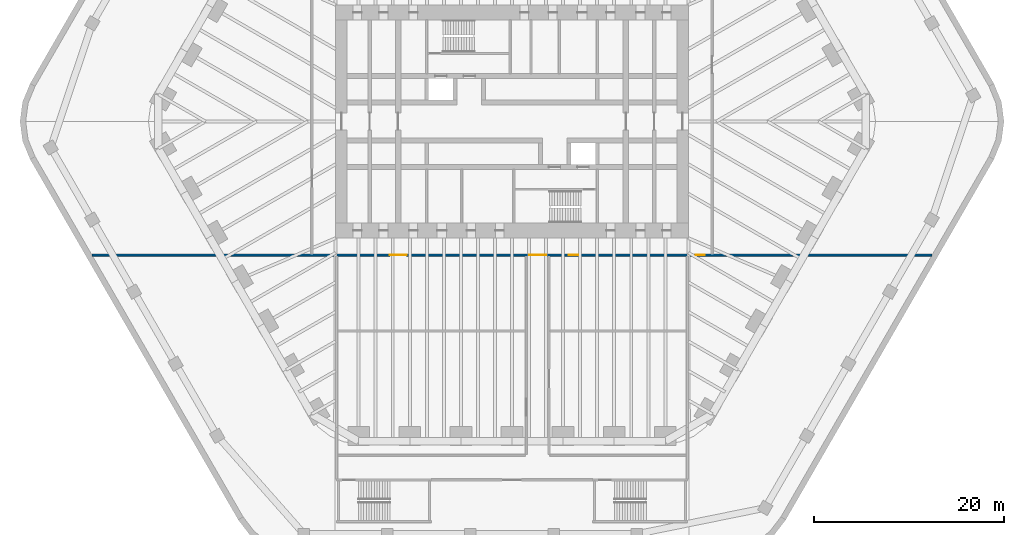
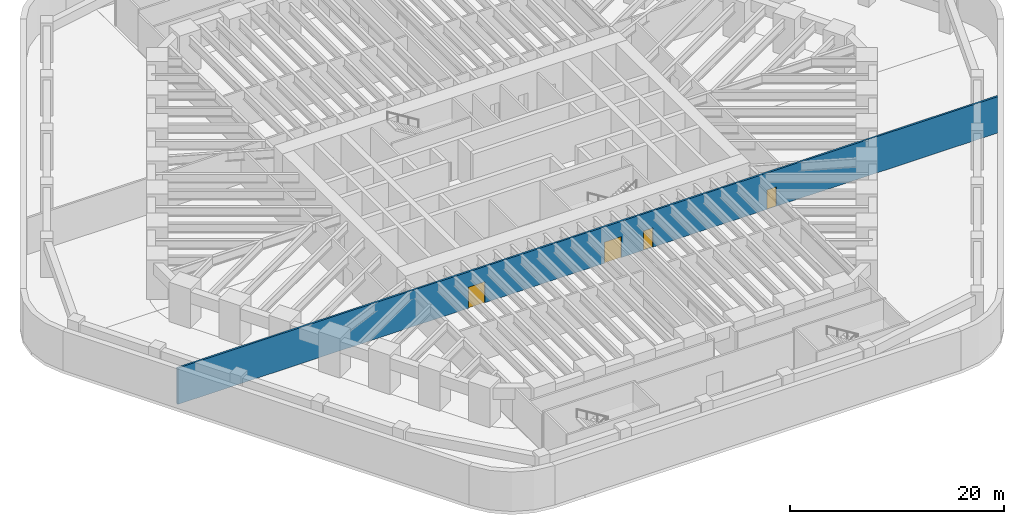
# One storey, part 5 of 12: 4 doors, 1 wall, 4 openings.
"""IFC4 building model written with IfcOpenShell, lengths in metres."""

from ifc_helpers import new_model, si_unit, direction, frame, frame_2d, origin, place, context, subcontext, project, spatial, rectangle, extrude, material, layer, layer_set, type_object, element, fill, save


model = new_model("IFC4")

# Units and contexts
model_context = context("Model", 3, precision=1e-05, world=origin(), true_north=direction((0.0, 1.0)))
body_context = subcontext(model_context, "Body", "Model", "MODEL_VIEW")
ifc_project = project(units=[si_unit("LENGTHUNIT", "METRE"), si_unit("AREAUNIT", "SQUARE_METRE"), si_unit("VOLUMEUNIT", "CUBIC_METRE"), si_unit("PLANEANGLEUNIT", "RADIAN"), si_unit("MASSUNIT", "GRAM", prefix="KILO")], contexts=[model_context])

# Site, building, storey
site_placement = place(None, origin())
site = spatial("IfcSite", under=ifc_project, at=site_placement, CompositionType="ELEMENT")
building_placement = place(site_placement, origin())
building = spatial("IfcBuilding", under=site, at=building_placement, Name="Tarfa Lantern Tower", CompositionType="ELEMENT")
storey_placement = place(building_placement, frame((0.0, 0.0, -4.5)))
storey = spatial("IfcBuildingStorey", under=building, at=storey_placement, Name="B1", CompositionType="ELEMENT", Elevation=-4.5)

# Wall, openings, doors
ifc_material_1 = material(Name="Concrete blockwork", Category="masonry")
ifc_layer = layer(ifc_material_1, 0.199951171875)
ifc_layer_set = layer_set([ifc_layer], Name="IW1 BLOCKWORK PARTITION 200 EI 120")
wall_type = type_object("IfcWallType", Name="IW1 BLOCKWORK PARTITION 200 EI 120", PredefinedType="PARTITIONING", material=ifc_layer_set)
wall_placement = place(storey_placement, frame((-44.28271484375, -14.10009765625, 0.0), z_axis=(0.0, 0.0, 1.0), x_axis=(1.0, 0.0, 0.0)))
wall = element("IfcWall", 1, at=wall_placement, inside=storey, type_object=wall_type, Name="Fire-rated partition", PredefinedType="PARTITIONING", context=body_context, shape_type="SweptSolid", body=[
    extrude(rectangle(XDim=88.5654296875, YDim=0.199951171875, at=frame_2d((44.28271484375, 0.0))), origin(), (0.0, 0.0, 1.0), 4.14990234375),
])
opening_1_placement = place(wall_placement, frame((31.3828125, 0.0, 0.0)))
opening_1 = element("IfcOpeningElement", 2, at=opening_1_placement, cuts=wall, Name="Opening D46", PredefinedType="OPENING", context=body_context, shape_type="SweptSolid", body=[
    extrude(rectangle(XDim=1.800048828125, YDim=2.39990234375, at=frame_2d((0.89990234375, 1.199951171875))), frame((0.0, 0.10986328125, 0.0), z_axis=(0.0, -1.0, 0.0), x_axis=(1.0, 0.0, 0.0)), (0.0, 0.0, 1.0), 0.219970703125),
])
opening_2_placement = place(wall_placement, frame((50.28271484375, 0.0, 0.0)))
opening_2 = element("IfcOpeningElement", 3, at=opening_2_placement, cuts=wall, Name="Opening D44", PredefinedType="OPENING", context=body_context, shape_type="SweptSolid", body=[
    extrude(rectangle(XDim=1.0, YDim=2.199951171875, at=frame_2d((0.5, 1.10009765625))), frame((0.0, 0.10986328125, 0.0), z_axis=(0.0, -1.0, 0.0), x_axis=(1.0, 0.0, 0.0)), (0.0, 0.0, 1.0), 0.219970703125),
])
opening_3_placement = place(wall_placement, frame((46.082763671875, 0.0, 0.0)))
opening_3 = element("IfcOpeningElement", 4, at=opening_3_placement, cuts=wall, Name="Opening D48", PredefinedType="OPENING", context=body_context, shape_type="SweptSolid", body=[
    extrude(rectangle(XDim=1.800048828125, YDim=2.39990234375, at=frame_2d((0.89990234375, 1.199951171875))), frame((0.0, 0.10986328125, 0.0), z_axis=(0.0, -1.0, 0.0), x_axis=(1.0, 0.0, 0.0)), (0.0, 0.0, 1.0), 0.219970703125),
])
opening_4_placement = place(wall_placement, frame((63.6328125, 0.0, 0.0)))
opening_4 = element("IfcOpeningElement", 5, at=opening_4_placement, cuts=wall, Name="Opening D36", PredefinedType="OPENING", context=body_context, shape_type="SweptSolid", body=[
    extrude(rectangle(XDim=1.0, YDim=2.199951171875, at=frame_2d((0.5, 1.10009765625))), frame((0.0, 0.10986328125, 0.0), z_axis=(0.0, -1.0, 0.0), x_axis=(1.0, 0.0, 0.0)), (0.0, 0.0, 1.0), 0.219970703125),
])
ifc_material_2 = material(Name="Steel fire door", Category="steel")
door_type_1 = type_object("IfcDoorType", Name="DF7 FIRE DOOR 1800x2400", OperationType="DOUBLE_DOOR_SINGLE_SWING", PredefinedType="DOOR", material=ifc_material_2)
door_1_placement = place(opening_1_placement, frame((1.800048828125, 0.0, 0.0), z_axis=(0.0, 0.0, 1.0), x_axis=(-1.0, 0.0, 0.0)))
door_1 = element("IfcDoor", 6, at=door_1_placement, inside=storey, type_object=door_type_1, Name="Refuse store door", OperationType="DOUBLE_DOOR_SINGLE_SWING", OverallHeight=2.39990234375, OverallWidth=1.800048828125, PredefinedType="DOOR", context=body_context, shape_type="SweptSolid", body=[
    extrude(rectangle(XDim=1.800048828125, YDim=2.39990234375, at=frame_2d((0.89990234375, 1.199951171875))), frame((0.0, 0.02490234375, 0.0), z_axis=(0.0, -1.0, 0.0), x_axis=(1.0, 0.0, 0.0)), (0.0, 0.0, 1.0), 0.050048828125),
])
fill(opening_1, door_1)
door_2_placement = place(opening_3_placement, origin())
door_2 = element("IfcDoor", 7, at=door_2_placement, inside=storey, type_object=door_type_1, Name="Corridor door", OperationType="DOUBLE_DOOR_SINGLE_SWING", OverallHeight=2.39990234375, OverallWidth=1.800048828125, PredefinedType="DOOR", context=body_context, shape_type="SweptSolid", body=[
    extrude(rectangle(XDim=1.800048828125, YDim=2.39990234375, at=frame_2d((0.89990234375, 1.199951171875))), frame((0.0, 0.02490234375, 0.0), z_axis=(0.0, -1.0, 0.0), x_axis=(1.0, 0.0, 0.0)), (0.0, 0.0, 1.0), 0.050048828125),
])
fill(opening_3, door_2)
door_type_2 = type_object("IfcDoorType", Name="DF8 FIRE DOOR 1000x2200", OperationType="SINGLE_SWING_LEFT", PredefinedType="DOOR", material=ifc_material_2)
door_3_placement = place(opening_2_placement, frame((1.0, 0.0, 0.0), z_axis=(0.0, 0.0, 1.0), x_axis=(-1.0, 0.0, 0.0)))
door_3 = element("IfcDoor", 8, at=door_3_placement, inside=storey, type_object=door_type_2, Name="General store door", OperationType="SINGLE_SWING_LEFT", OverallHeight=2.199951171875, OverallWidth=1.0, PredefinedType="DOOR", context=body_context, shape_type="SweptSolid", body=[
    extrude(rectangle(XDim=1.0, YDim=2.199951171875, at=frame_2d((0.5, 1.10009765625))), frame((0.0, 0.02490234375, 0.0), z_axis=(0.0, -1.0, 0.0), x_axis=(1.0, 0.0, 0.0)), (0.0, 0.0, 1.0), 0.050048828125),
])
fill(opening_2, door_3)
door_4_placement = place(opening_4_placement, frame((1.0, 0.0, 0.0), z_axis=(0.0, 0.0, 1.0), x_axis=(-1.0, 0.0, 0.0)))
door_4 = element("IfcDoor", 9, at=door_4_placement, inside=storey, type_object=door_type_2, Name="Plant room door", OperationType="SINGLE_SWING_LEFT", OverallHeight=2.199951171875, OverallWidth=1.0, PredefinedType="DOOR", context=body_context, shape_type="SweptSolid", body=[
    extrude(rectangle(XDim=1.0, YDim=2.199951171875, at=frame_2d((0.5, 1.10009765625))), frame((0.0, 0.02490234375, 0.0), z_axis=(0.0, -1.0, 0.0), x_axis=(1.0, 0.0, 0.0)), (0.0, 0.0, 1.0), 0.050048828125),
])
fill(opening_4, door_4)

save(model, "model.ifc")
